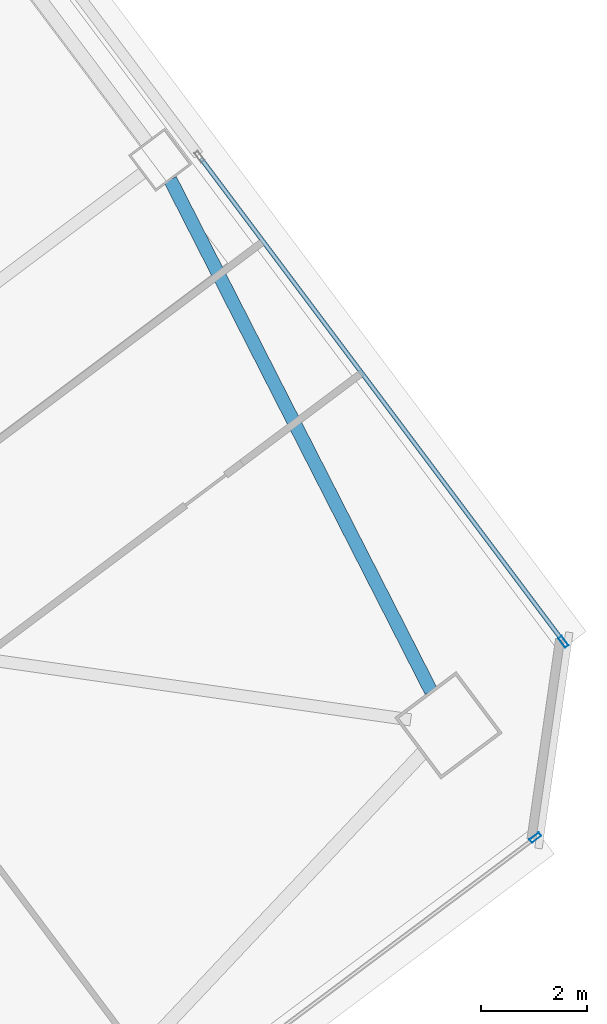
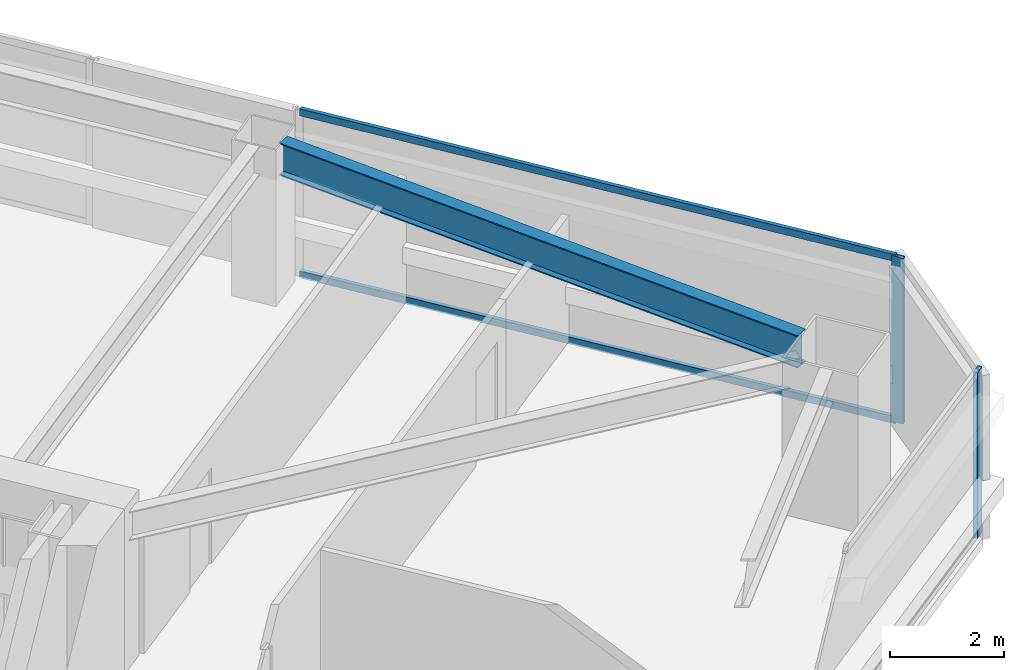
# One storey, part 26 of 46: 4 members, 1 beam, 2 elements without a shape of their own.
"""IFC4 building model written with IfcOpenShell, lengths in metres."""

import ifcopenshell
import ifcopenshell.guid

model = None  # the IFC model being written
_history = None  # IfcOwnerHistory: only IFC2X3 demands one
_inside = {}  # id of a spatial element -> (the spatial element, [elements in it])
_under = {}  # id of a project, library or spatial element -> (it, [spatial elements below it])
_declared = {}  # id of a project -> (the project, [libraries it declares])
_typed = {}  # id of a type object -> (the type object, [elements of that type])
_made_of = {}  # id of a material, layer set ... -> (it, [elements and type objects made of it])


def new_model(schema):
    """Start an empty IFC model of exactly this schema.

    Asked for "IFC4X3", IfcOpenShell would pick the latest addendum, in which some entities
    have other attributes; the version numbers below select the first issue.
    IFC2X3 requires an IfcOwnerHistory on every rooted entity: one is made here for all.
    """
    global model, _history
    if schema == "IFC4X3":
        model = ifcopenshell.file(schema_version=(4, 3, 0, 0))
    else:
        model = ifcopenshell.file(schema=schema)
    _inside.clear()
    _under.clear()
    _declared.clear()
    _typed.clear()
    _made_of.clear()
    _history = None
    if model.schema == "IFC2X3":
        org = make("IfcOrganization", Name="unknown")
        user = make(
            "IfcPersonAndOrganization",
            ThePerson=make("IfcPerson", FamilyName="unknown"),
            TheOrganization=org,
        )
        app = make(
            "IfcApplication",
            ApplicationDeveloper=org,
            Version="unknown",
            ApplicationFullName="unknown",
            ApplicationIdentifier="unknown",
        )
        _history = make(
            "IfcOwnerHistory",
            OwningUser=user,
            OwningApplication=app,
            ChangeAction="ADDED",
            CreationDate=0,
        )
    return model


def make(cls, **values):
    """One entity of the class cls with the attributes given. An attribute that is None is left unset."""
    return model.create_entity(
        cls, **{name: value for name, value in values.items() if value is not None}
    )


def rooted(cls, **values):
    """An entity with a GlobalId (a new one), such as an element, a storey or a relation."""
    return make(cls, GlobalId=ifcopenshell.guid.new(), OwnerHistory=_history, **values)


def si_unit(unit_type, name, prefix=None):
    """IfcSIUnit, for example si_unit("LENGTHUNIT", "METRE", prefix="MILLI")."""
    return make("IfcSIUnit", UnitType=unit_type, Prefix=prefix, Name=name)


def assignment(units):
    """IfcUnitAssignment: the units of a project."""
    return None if units is None else make("IfcUnitAssignment", Units=units)


def point(xyz):
    """IfcCartesianPoint."""
    return None if xyz is None else make("IfcCartesianPoint", Coordinates=xyz)


def direction(xyz):
    """IfcDirection."""
    return None if xyz is None else make("IfcDirection", DirectionRatios=xyz)


def frame(location, z_axis=None, x_axis=None):
    """IfcAxis2Placement3D, a coordinate frame: its origin and axes. An axis left out is left unset."""
    return make(
        "IfcAxis2Placement3D",
        Location=point(location),
        Axis=direction(z_axis),
        RefDirection=direction(x_axis),
    )


def frame_2d(location, x_axis=None):
    """IfcAxis2Placement2D, a coordinate frame in the plane: its origin and x axis."""
    return make(
        "IfcAxis2Placement2D", Location=point(location), RefDirection=direction(x_axis)
    )


def origin():
    """The frame at (0, 0, 0) with its axes left unset."""
    return frame((0.0, 0.0, 0.0))


def origin_2d():
    """The frame at (0, 0) in the plane with its x axis left unset."""
    return frame_2d((0.0, 0.0))


def place(relative_to, where):
    """IfcLocalPlacement: puts the frame where relative to a parent placement (None: the world)."""
    return make(
        "IfcLocalPlacement", PlacementRelTo=relative_to, RelativePlacement=where
    )


def context(
    kind, dimensions, precision=None, world=None, true_north=None, identifier=None
):
    """IfcGeometricRepresentationContext, for example the 3D "Model" context."""
    return make(
        "IfcGeometricRepresentationContext",
        ContextIdentifier=identifier,
        ContextType=kind,
        CoordinateSpaceDimension=dimensions,
        Precision=precision,
        WorldCoordinateSystem=world,
        TrueNorth=true_north,
    )


def subcontext(parent, identifier, kind, view, scale=None):
    """IfcGeometricRepresentationSubContext, for example "Body" below "Model"."""
    return make(
        "IfcGeometricRepresentationSubContext",
        ContextIdentifier=identifier,
        ContextType=kind,
        ParentContext=parent,
        TargetScale=scale,
        TargetView=view,
    )


def project(units=None, contexts=None):
    """IfcProject with its units and contexts."""
    return rooted(
        "IfcProject",
        Name="project",
        RepresentationContexts=contexts,
        UnitsInContext=assignment(units),
    )


def spatial(cls, under=None, at=None, **own):
    """A site, building, storey or space (cls), placed at a placement, below another one or the project."""
    s = rooted(cls, ObjectPlacement=at, **own)
    if under is not None:
        _under.setdefault(under.id(), (under, []))[1].append(s)
    return s


def profile(cls, at=None, kind="AREA", **sizes):
    """A parametric profile (cls). Its sizes go by their IFC names, for example OverallWidth=200.0."""
    return make(cls, ProfileType=kind, Position=at, **sizes)


def hollow_rectangle(**sizes):
    """IfcRectangleHollowProfileDef."""
    return profile("IfcRectangleHollowProfileDef", **sizes)


def i_section(**sizes):
    """IfcIShapeProfileDef."""
    return profile("IfcIShapeProfileDef", **sizes)


def extrude(swept, where, along, depth):
    """IfcExtrudedAreaSolid: the profile swept, set in the frame where, extruded along a direction by depth."""
    return make(
        "IfcExtrudedAreaSolid",
        SweptArea=swept,
        Position=where,
        ExtrudedDirection=direction(along),
        Depth=depth,
    )


def shape(context_of_items, identifier, shape_type, items):
    """IfcShapeRepresentation: the items that make up one representation, for example the "Body"."""
    return make(
        "IfcShapeRepresentation",
        ContextOfItems=context_of_items,
        RepresentationIdentifier=identifier,
        RepresentationType=shape_type,
        Items=items,
    )


def material(Name=None, Category=None):
    """IfcMaterial."""
    return make("IfcMaterial", Name=Name, Category=Category)


def material_profile(
    of_material, cross_section, Name=None, Category=None, Priority=None
):
    """IfcMaterialProfile: a cross section and its material."""
    return make(
        "IfcMaterialProfile",
        Name=Name,
        Material=of_material,
        Profile=cross_section,
        Priority=Priority,
        Category=Category,
    )


def profile_set(profiles, Name=None, composite=None):
    """IfcMaterialProfileSet."""
    return make(
        "IfcMaterialProfileSet",
        Name=Name,
        MaterialProfiles=profiles,
        CompositeProfile=composite,
    )


def made_of(thing, what):
    """Note that an element or type object is made of a material, layer set ...; save() writes the relation."""
    if what is not None:
        _made_of.setdefault(what.id(), (what, []))[1].append(thing)
    return thing


def type_object(cls, material=None, **own):
    """A type object (cls), such as IfcWallType, which elements share."""
    return made_of(rooted(cls, **own), material)


def element(
    cls,
    number,
    at=None,
    inside=None,
    cuts=None,
    type_object=None,
    material=None,
    context=None,
    identifier="Body",
    shape_type=None,
    held_by="IfcProductDefinitionShape",
    body=None,
    shapes=None,
    **own,
):
    """One element of the class cls, such as IfcWall. Its Tag is "e" and its number.

    at: its placement. inside: the storey or other place that contains it. cuts: it is an
    opening in that element (IfcRelVoidsElement). A single representation is given by context,
    identifier, shape_type and body (its items); several are given by shapes. held_by: the class
    of the entity that holds the representations. save() writes the other relations.
    """
    e = rooted(cls, Tag="e%d" % number, ObjectPlacement=at, **own)
    if body is not None:
        shapes = [shape(context, identifier, shape_type, body)]
    if shapes is not None:
        e.Representation = make(held_by, Representations=shapes)
    if inside is not None:
        _inside.setdefault(inside.id(), (inside, []))[1].append(e)
    if cuts is not None:
        rooted(
            "IfcRelVoidsElement", RelatingBuildingElement=cuts, RelatedOpeningElement=e
        )
    if type_object is not None:
        _typed.setdefault(type_object.id(), (type_object, []))[1].append(e)
    return made_of(e, material)


def aggregate(whole, parts):
    """IfcRelAggregates: a whole, such as a stair, and the parts it consists of."""
    return rooted("IfcRelAggregates", RelatingObject=whole, RelatedObjects=parts)


def save(model, path):
    """Write the relations noted so far, then the file.

    IfcRelAggregates (storeys below a building ...), IfcRelContainedInSpatialStructure (elements
    in a storey), IfcRelDefinesByType, IfcRelAssociatesMaterial and IfcRelDeclares: one each for
    every whole, place, type object, material and project.
    """
    for whole, parts in _under.values():
        aggregate(whole, parts)
    for where, things in _inside.values():
        rooted(
            "IfcRelContainedInSpatialStructure",
            RelatedElements=things,
            RelatingStructure=where,
        )
    for kind, things in _typed.values():
        rooted("IfcRelDefinesByType", RelatedObjects=things, RelatingType=kind)
    for what, things in _made_of.values():
        rooted("IfcRelAssociatesMaterial", RelatedObjects=things, RelatingMaterial=what)
    for by, libraries in _declared.values():
        rooted("IfcRelDeclares", RelatingContext=by, RelatedDefinitions=libraries)
    model.write(path)


model = new_model("IFC4")

# Units and contexts
model_context = context("Model", 3, precision=1e-05, world=origin(), true_north=direction((0.0, 1.0)))
body_context = subcontext(model_context, "Body", "Model", "MODEL_VIEW")
ifc_project = project(units=[si_unit("LENGTHUNIT", "METRE"), si_unit("AREAUNIT", "SQUARE_METRE"), si_unit("VOLUMEUNIT", "CUBIC_METRE"), si_unit("PLANEANGLEUNIT", "RADIAN"), si_unit("MASSUNIT", "GRAM", prefix="KILO")], contexts=[model_context])

# Site, building, storey
site_placement = place(None, origin())
site = spatial("IfcSite", under=ifc_project, at=site_placement, CompositionType="ELEMENT")
building_placement = place(site_placement, origin())
building = spatial("IfcBuilding", under=site, at=building_placement, Name="Tashvorn Skyway Center", CompositionType="ELEMENT")
storey_placement = place(building_placement, frame((0.0, 0.0, 99.14990234375)))
storey = spatial("IfcBuildingStorey", under=building, at=storey_placement, Name="L26", CompositionType="ELEMENT", Elevation=99.14990234375)

# Beam
ifc_material_1 = material(Name="Steel ASTM A992 Grade 50", Category="steel")
ifc_material_profile_1 = material_profile(ifc_material_1, i_section(OverallWidth=0.256103515625, OverallDepth=0.693115234375, WebThickness=0.014404296875, FlangeThickness=0.023681640625, at=origin_2d()), Name="W27X114")
ifc_profile_set_1 = profile_set([ifc_material_profile_1], Name="Steel ASTM A992 Grade 50")
beam_type = type_object("IfcBeamType", Name="BM-SPANDREL-W27X114", PredefinedType="SPANDREL", material=ifc_profile_set_1)
beam_placement = place(storey_placement, frame((137.7529296875, 29.201416015625, 3.003662109375), z_axis=(-0.454210938961, 0.890894170442, 0.0), x_axis=(-0.890894170442, -0.454210938961, 0.0)))
element("IfcBeam", 1, at=beam_placement, inside=storey, type_object=beam_type, Name="Tower 2 L26 Spandrel Beam 04", PredefinedType="SPANDREL", context=body_context, shape_type="SweptSolid", body=[
    extrude(i_section(OverallWidth=0.256103515625, OverallDepth=0.693115234375, WebThickness=0.014404296875, FlangeThickness=0.023681640625, at=origin_2d()), origin(), (0.0, 0.0, 1.0), 10.836669921875),
])

# Curtain wall, member
ifc_material_2 = material(Name="Thermally broken bronze-anodized aluminium 6063-T6", Category="aluminium")
curtain_wall_type = type_object("IfcCurtainWallType", Name="CW-CW-Z2", PredefinedType="NOTDEFINED", material=ifc_material_2)
curtain_wall_1_placement = place(storey_placement, origin())
curtain_wall_1 = element("IfcCurtainWall", 2, at=curtain_wall_1_placement, inside=storey, type_object=curtain_wall_type, Name="Tower 2 L26 South Curtain Wall L", PredefinedType="NOTDEFINED")
ifc_material_profile_2 = material_profile(ifc_material_2, hollow_rectangle(XDim=0.080078125, YDim=0.219970703125, WallThickness=0.0048828125, at=origin_2d()), Name="ALU-MULL-80x220")
ifc_profile_set_2 = profile_set([ifc_material_profile_2], Name="Thermally broken bronze-anodized aluminium 6063-T6")
member_type_1 = type_object("IfcMemberType", Name="CWM-CW-Z2", PredefinedType="MULLION", material=ifc_profile_set_2)
member_1_placement = place(storey_placement, frame((139.719970703125, 26.43994140625, 0.0), z_axis=(0.0, 0.0, 1.0), x_axis=(0.600000000002, -0.799999999998, 0.0)))
member_1 = element("IfcMember", 3, at=member_1_placement, type_object=member_type_1, Name="CW-Z2 mullion 1", PredefinedType="MULLION", context=body_context, shape_type="SweptSolid", body=[
    extrude(hollow_rectangle(XDim=0.080078125, YDim=0.219970703125, WallThickness=0.0048828125, at=origin_2d()), origin(), (0.0, 0.0, 1.0), 3.550048828125),
])
aggregate(curtain_wall_1, [member_1])

# Curtain wall, members
curtain_wall_2_placement = place(storey_placement, origin())
curtain_wall_2 = element("IfcCurtainWall", 4, at=curtain_wall_2_placement, inside=storey, type_object=curtain_wall_type, Name="Tower 2 L26 East Unitised Curtain Wall Glazing Group 3", PredefinedType="NOTDEFINED")
member_2_placement = place(storey_placement, frame((140.248046875, 30.135986328125, 0.0), z_axis=(0.0, 0.0, 1.0), x_axis=(0.799999999998, 0.600000000002, 0.0)))
member_2 = element("IfcMember", 5, at=member_2_placement, type_object=member_type_1, Name="CW-Z2 mullion 2", PredefinedType="MULLION", context=body_context, shape_type="SweptSolid", body=[
    extrude(hollow_rectangle(XDim=0.080078125, YDim=0.219970703125, WallThickness=0.0048828125, at=origin_2d()), origin(), (0.0, 0.0, 1.0), 3.550048828125),
])
ifc_material_profile_3 = material_profile(ifc_material_2, hollow_rectangle(XDim=0.080078125, YDim=0.14990234375, WallThickness=0.00439453125, at=origin_2d()), Name="ALU-TRAN-80x150")
ifc_profile_set_3 = profile_set([ifc_material_profile_3], Name="Thermally broken bronze-anodized aluminium 6063-T6")
member_type_2 = type_object("IfcMemberType", Name="CWT-CW-Z2", PredefinedType="USERDEFINED", material=ifc_profile_set_3)
member_3_placement = place(storey_placement, frame((133.407958984375, 39.256103515625, 0.0400390625), z_axis=(0.600003438533, -0.799997421089, 0.0), x_axis=(0.799997421089, 0.600003438533, 0.0)))
member_3 = element("IfcMember", 6, at=member_3_placement, type_object=member_type_2, Name="CW-Z2 transom 1.1", ObjectType="TRANSOM", PredefinedType="USERDEFINED", context=body_context, shape_type="SweptSolid", body=[
    extrude(hollow_rectangle(XDim=0.080078125, YDim=0.14990234375, WallThickness=0.00439453125, at=origin_2d()), origin(), (0.0, 0.0, 1.0), 11.360107421875),
])
member_4_placement = place(storey_placement, frame((133.407958984375, 39.256103515625, 3.510009765625), z_axis=(0.600003438533, -0.799997421089, 0.0), x_axis=(0.799997421089, 0.600003438533, 0.0)))
member_4 = element("IfcMember", 7, at=member_4_placement, type_object=member_type_2, Name="CW-Z2 transom 1.2", ObjectType="TRANSOM", PredefinedType="USERDEFINED", context=body_context, shape_type="SweptSolid", body=[
    extrude(hollow_rectangle(XDim=0.080078125, YDim=0.14990234375, WallThickness=0.00439453125, at=origin_2d()), origin(), (0.0, 0.0, 1.0), 11.360107421875),
])
aggregate(curtain_wall_2, [member_2, member_3, member_4])

save(model, "model.ifc")
